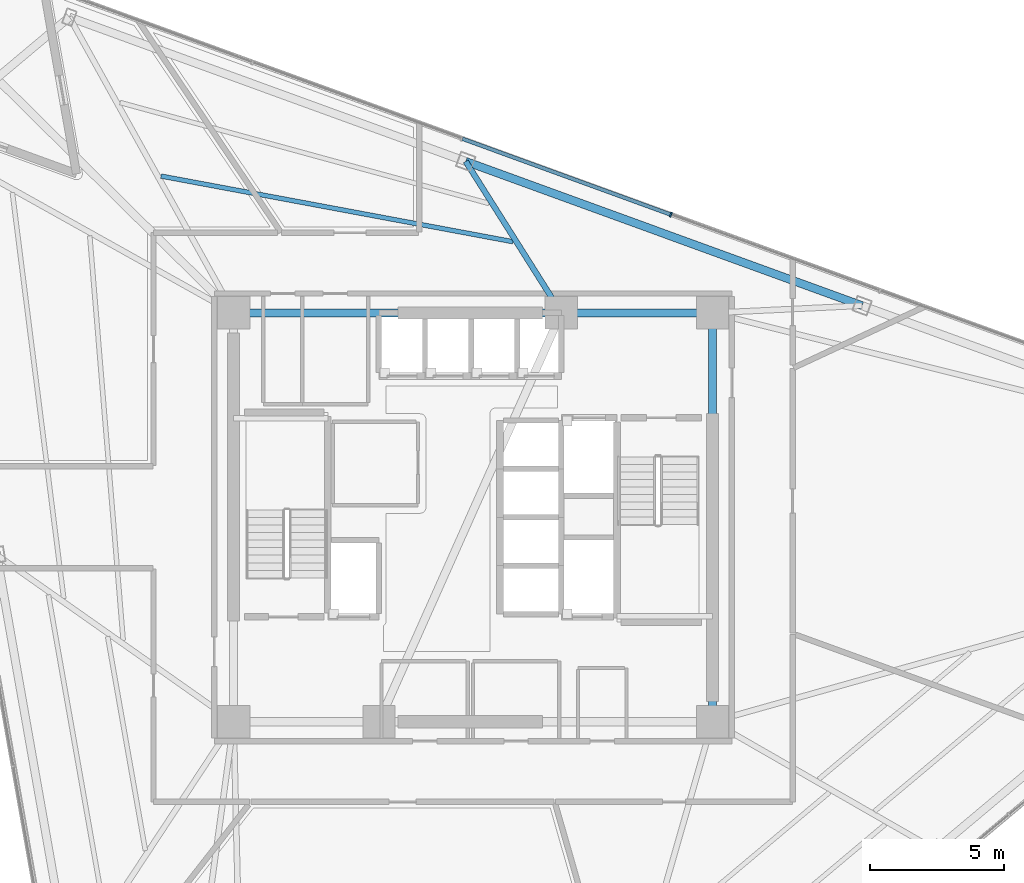
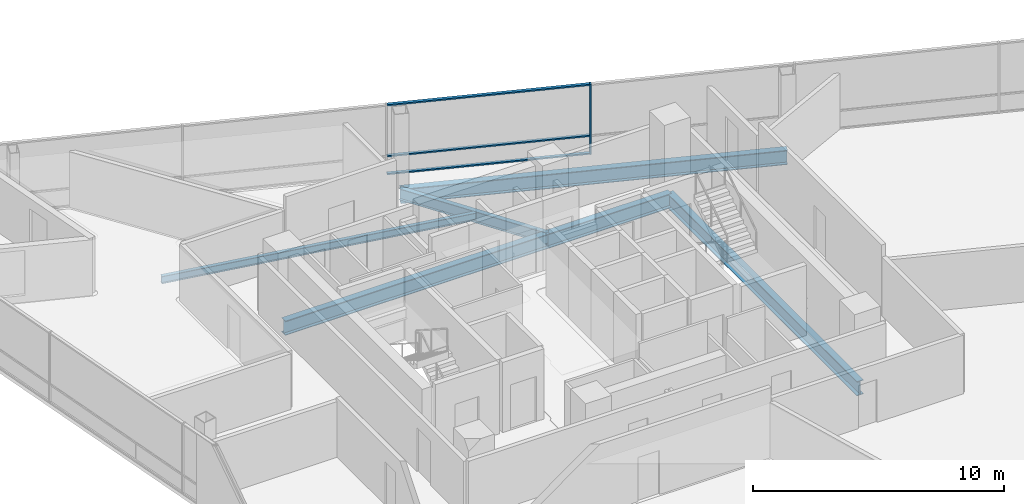
# One storey, part 6 of 16: 6 beams, 4 members, 1 element without a shape of its own.
"""IFC4 building model written with IfcOpenShell, lengths in metres."""

from ifc_helpers import new_model, si_unit, direction, frame, origin, origin_2d, place, context, subcontext, project, spatial, rectangle, i_section, extrude, material, layer, layer_set, material_profile, profile_set, type_object, element, aggregate, save


model = new_model("IFC4")

# Units and contexts
model_context = context("Model", 3, precision=1e-05, world=origin(), true_north=direction((0.0, 1.0)))
body_context = subcontext(model_context, "Body", "Model", "MODEL_VIEW")
ifc_project = project(units=[si_unit("LENGTHUNIT", "METRE"), si_unit("AREAUNIT", "SQUARE_METRE"), si_unit("VOLUMEUNIT", "CUBIC_METRE"), si_unit("PLANEANGLEUNIT", "RADIAN"), si_unit("MASSUNIT", "GRAM", prefix="KILO")], contexts=[model_context])

# Site, building, storey
site_placement = place(None, origin())
site = spatial("IfcSite", under=ifc_project, at=site_placement, CompositionType="ELEMENT")
building_placement = place(site_placement, origin())
building = spatial("IfcBuilding", under=site, at=building_placement, Name="Tharavind Bronze Gate", CompositionType="ELEMENT")
storey_placement = place(building_placement, frame((0.0, 0.0, 188.5)))
storey = spatial("IfcBuildingStorey", under=building, at=storey_placement, Name="L48", CompositionType="ELEMENT", Elevation=188.5)

# Curtain wall, members
ifc_material_1 = material(Name="Anodised Bronze Aluminium", Category="aluminium")
ifc_layer = layer(ifc_material_1, 0.219970703125)
ifc_layer_set = layer_set([ifc_layer], Name="Anodised Bronze Aluminium")
curtain_wall_type = type_object("IfcCurtainWallType", Name="UNITISED CURTAIN WALL MID OFFICE", PredefinedType="USERDEFINED", material=ifc_layer_set)
curtain_wall_placement = place(storey_placement, origin())
curtain_wall = element("IfcCurtainWall", 1, at=curtain_wall_placement, inside=storey, type_object=curtain_wall_type, Name="L48 unitised curtain wall mid office CW-L48-S3", ObjectType="UNITISED CURTAIN WALL", PredefinedType="USERDEFINED")
member_type_1 = type_object("IfcMemberType", Name="CURTAIN WALL BRONZE MULLION 65X180", PredefinedType="MULLION", material=ifc_material_1)
member_1_placement = place(storey_placement, frame((7.35009765625, 11.25439453125, 0.0), z_axis=(0.0, 0.0, 1.0), x_axis=(-0.939692023847, 0.342021783398, 0.0)))
member_1 = element("IfcMember", 2, at=member_1_placement, type_object=member_type_1, Name="CW-L48-S3 mullion 4", PredefinedType="MULLION", context=body_context, shape_type="SweptSolid", body=[
    extrude(rectangle(XDim=0.06494140625, YDim=0.179931640625, at=origin_2d()), origin(), (0.0, 0.0, 1.0), 3.419921875),
])
member_type_2 = type_object("IfcMemberType", Name="CURTAIN WALL BRONZE TRANSOM 65X140", PredefinedType="USERDEFINED", material=ifc_material_1)
member_2_placement = place(storey_placement, frame((3.462890625, 12.669189453125, 0.0), z_axis=(0.0, 0.0, 1.0), x_axis=(-0.939692023847, 0.342021783398, 0.0)))
member_2 = element("IfcMember", 3, at=member_2_placement, type_object=member_type_2, Name="CW-L48-S3 transom TB4", ObjectType="TRANSOM", PredefinedType="USERDEFINED", context=body_context, shape_type="SweptSolid", body=[
    extrude(rectangle(XDim=8.220458984375, YDim=0.139892578125, at=origin_2d()), origin(), (0.0, 0.0, 1.0), 0.06494140625),
])
member_3_placement = place(storey_placement, frame((3.462890625, 12.669189453125, 0.867431640625), z_axis=(0.0, 0.0, 1.0), x_axis=(-0.939692023847, 0.342021783398, 0.0)))
member_3 = element("IfcMember", 4, at=member_3_placement, type_object=member_type_2, Name="CW-L48-S3 transom TS4", ObjectType="TRANSOM", PredefinedType="USERDEFINED", context=body_context, shape_type="SweptSolid", body=[
    extrude(rectangle(XDim=8.220458984375, YDim=0.139892578125, at=origin_2d()), origin(), (0.0, 0.0, 1.0), 0.06494140625),
])
member_4_placement = place(storey_placement, frame((3.462890625, 12.669189453125, 3.35498046875), z_axis=(0.0, 0.0, 1.0), x_axis=(-0.939692023847, 0.342021783398, 0.0)))
member_4 = element("IfcMember", 5, at=member_4_placement, type_object=member_type_2, Name="CW-L48-S3 transom TT4", ObjectType="TRANSOM", PredefinedType="USERDEFINED", context=body_context, shape_type="SweptSolid", body=[
    extrude(rectangle(XDim=8.220458984375, YDim=0.139892578125, at=origin_2d()), origin(), (0.0, 0.0, 1.0), 0.06494140625),
])
aggregate(curtain_wall, [member_1, member_2, member_3, member_4])

# Beams
ifc_material_2 = material(Name="Steel S355", Category="steel")
ifc_material_profile_1 = material_profile(ifc_material_2, i_section(OverallWidth=0.2099609375, OverallDepth=0.550048828125, WebThickness=0.010986328125, FlangeThickness=0.01708984375, at=origin_2d()), Name="IPE550")
ifc_profile_set_1 = profile_set([ifc_material_profile_1], Name="Steel S355")
beam_type_1 = type_object("IfcBeamType", Name="PRIMARY GIRDER IPE550", PredefinedType="USERDEFINED", material=ifc_profile_set_1)
beam_1_placement = place(storey_placement, frame((-0.27392578125, 13.231201171875, -0.455078125), z_axis=(0.53372121288, -0.845660491522, 0.0), x_axis=(0.845660491522, 0.53372121288, 0.0)))
element("IfcBeam", 6, at=beam_1_placement, inside=storey, type_object=beam_type_1, Name="L48 primary girder ipe550 BM-L48-RAD11", ObjectType="GIRDER", PredefinedType="USERDEFINED", context=body_context, shape_type="SweptSolid", body=[
    extrude(i_section(OverallWidth=0.2099609375, OverallDepth=0.550048828125, WebThickness=0.010986328125, FlangeThickness=0.01708984375, at=origin_2d()), origin(), (0.0, 0.0, 1.0), 6.658935546875),
])
ifc_material_profile_2 = material_profile(ifc_material_2, i_section(OverallWidth=0.300048828125, OverallDepth=0.699951171875, WebThickness=0.01708984375, FlangeThickness=0.031982421875, at=origin_2d()), Name="HE700B")
ifc_profile_set_2 = profile_set([ifc_material_profile_2], Name="Steel S355")
beam_type_2 = type_object("IfcBeamType", Name="RING GIRDER HE700B", PredefinedType="USERDEFINED", material=ifc_profile_set_2)
beam_2_placement = place(storey_placement, frame((8.89990234375, -7.60009765625, -0.530029296875), z_axis=(0.0, 1.0, 0.0), x_axis=(-1.0, 0.0, 0.0)))
element("IfcBeam", 7, at=beam_2_placement, inside=storey, type_object=beam_type_2, Name="L48 ring girder he700b BM-L48-CR3", ObjectType="GIRDER", PredefinedType="USERDEFINED", context=body_context, shape_type="SweptSolid", body=[
    extrude(i_section(OverallWidth=0.300048828125, OverallDepth=0.699951171875, WebThickness=0.01708984375, FlangeThickness=0.031982421875, at=origin_2d()), origin(), (0.0, 0.0, 1.0), 15.2001953125),
])
beam_3_placement = place(storey_placement, frame((8.89990234375, 7.60009765625, -0.530029296875), z_axis=(-1.0, 0.0, 0.0), x_axis=(0.0, -1.0, 0.0)))
element("IfcBeam", 8, at=beam_3_placement, inside=storey, type_object=beam_type_2, Name="L48 ring girder he700b BM-L48-CR4", ObjectType="GIRDER", PredefinedType="USERDEFINED", context=body_context, shape_type="SweptSolid", body=[
    extrude(i_section(OverallWidth=0.300048828125, OverallDepth=0.699951171875, WebThickness=0.01708984375, FlangeThickness=0.031982421875, at=origin_2d()), origin(), (0.0, 0.0, 1.0), 5.619873046875),
])
beam_4_placement = place(storey_placement, frame((3.280029296875, 7.60009765625, -0.530029296875), z_axis=(-1.0, 0.0, 0.0), x_axis=(0.0, -1.0, 0.0)))
element("IfcBeam", 9, at=beam_4_placement, inside=storey, type_object=beam_type_2, Name="L48 ring girder he700b BM-L48-CR5", ObjectType="GIRDER", PredefinedType="USERDEFINED", context=body_context, shape_type="SweptSolid", body=[
    extrude(i_section(OverallWidth=0.300048828125, OverallDepth=0.699951171875, WebThickness=0.01708984375, FlangeThickness=0.031982421875, at=origin_2d()), origin(), (0.0, 0.0, 1.0), 12.179931640625),
])
beam_5_placement = place(storey_placement, frame((14.461181640625, 7.867919921875, -0.530029296875), z_axis=(-0.939689735949, 0.342028069246, 0.0), x_axis=(-0.342028069246, -0.939689735949, 0.0)))
element("IfcBeam", 10, at=beam_5_placement, inside=storey, type_object=beam_type_2, Name="L48 ring girder he700b BM-L48-PRG10", ObjectType="GIRDER", PredefinedType="USERDEFINED", context=body_context, shape_type="SweptSolid", body=[
    extrude(i_section(OverallWidth=0.300048828125, OverallDepth=0.699951171875, WebThickness=0.01708984375, FlangeThickness=0.031982421875, at=origin_2d()), origin(), (0.0, 0.0, 1.0), 15.680908203125),
])
ifc_material_profile_3 = material_profile(ifc_material_2, i_section(OverallWidth=0.169921875, OverallDepth=0.360107421875, WebThickness=0.008056640625, FlangeThickness=0.0126953125, at=origin_2d()), Name="IPE360")
ifc_profile_set_3 = profile_set([ifc_material_profile_3], Name="Steel S355")
beam_type_3 = type_object("IfcBeamType", Name="SECONDARY FLOOR JOIST IPE360", PredefinedType="JOIST", material=ifc_profile_set_3)
beam_6_placement = place(storey_placement, frame((1.48291015625, 10.245361328125, -0.360107421875), z_axis=(-0.98304057782, 0.183388173989, 0.0), x_axis=(-0.183388173989, -0.98304057782, 0.0)))
element("IfcBeam", 11, at=beam_6_placement, inside=storey, type_object=beam_type_3, Name="L48 secondary floor joist ipe360 BM-L48-JSTA11", PredefinedType="JOIST", context=body_context, shape_type="SweptSolid", body=[
    extrude(i_section(OverallWidth=0.169921875, OverallDepth=0.360107421875, WebThickness=0.008056640625, FlangeThickness=0.0126953125, at=origin_2d()), origin(), (0.0, 0.0, 1.0), 13.3115234375),
])

save(model, "model.ifc")
